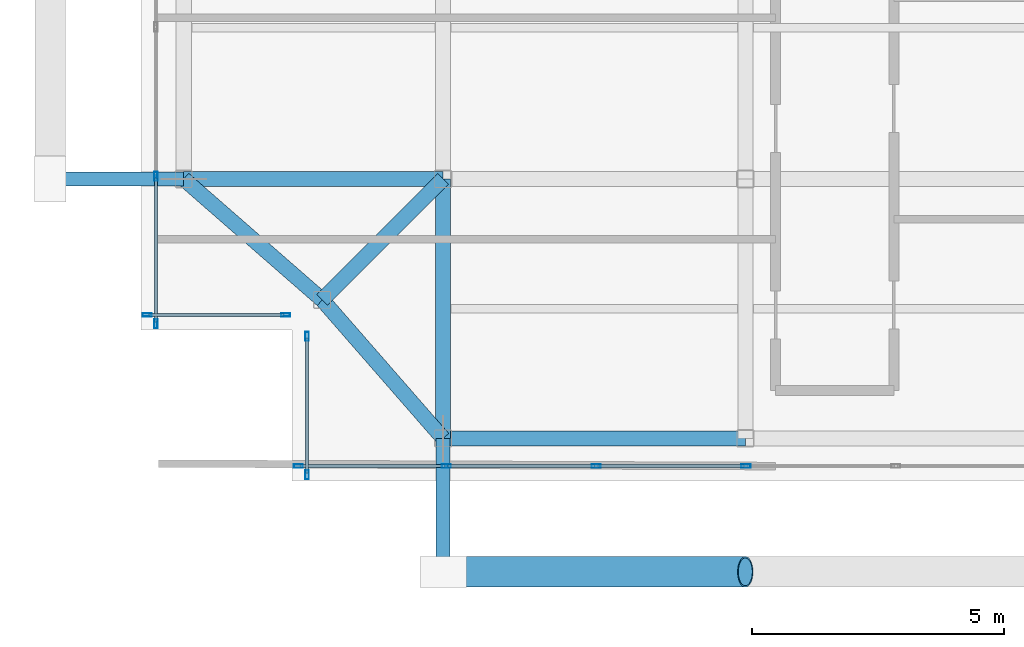
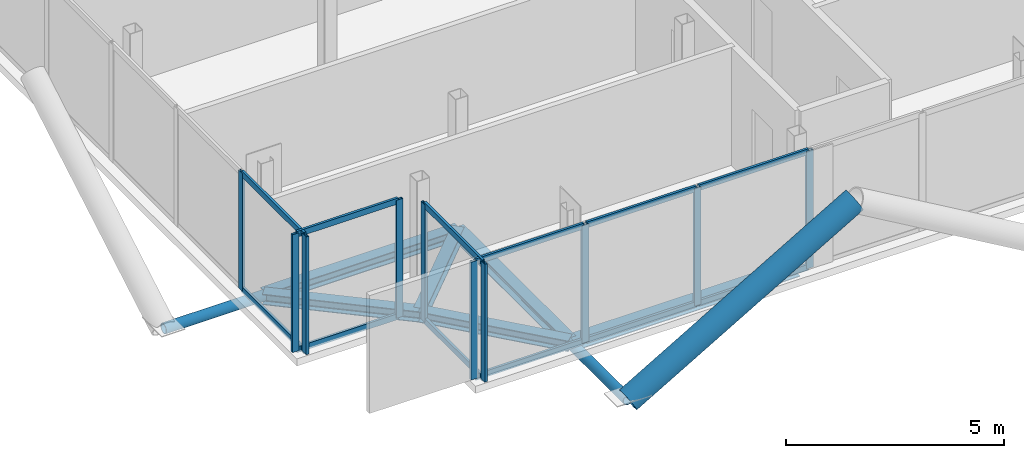
# One storey, part 2 of 19: 25 members, 6 beams, 4 elements without a shape of their own.
"""IFC4 building model written with IfcOpenShell, lengths in metres."""

from ifc_helpers import new_model, si_unit, direction, frame, origin, origin_2d, place, context, subcontext, project, spatial, hollow_rectangle, hollow_circle, i_section, extrude, material, layer, layer_set, material_profile, profile_set, type_object, element, aggregate, save


model = new_model("IFC4")

# Units and contexts
model_context = context("Model", 3, precision=1e-05, world=origin(), true_north=direction((0.0, 1.0)))
body_context = subcontext(model_context, "Body", "Model", "MODEL_VIEW")
ifc_project = project(units=[si_unit("LENGTHUNIT", "METRE"), si_unit("AREAUNIT", "SQUARE_METRE"), si_unit("VOLUMEUNIT", "CUBIC_METRE"), si_unit("PLANEANGLEUNIT", "RADIAN"), si_unit("MASSUNIT", "GRAM", prefix="KILO"), si_unit("THERMODYNAMICTEMPERATUREUNIT", "KELVIN"), si_unit("POWERUNIT", "WATT")], contexts=[model_context])

# Site, building, storey
site_placement = place(None, origin())
site = spatial("IfcSite", under=ifc_project, at=site_placement, CompositionType="ELEMENT")
building_placement = place(site_placement, origin())
building = spatial("IfcBuilding", under=site, at=building_placement, Name="Svarakhadi Broadcast Tower", CompositionType="ELEMENT")
storey_placement = place(building_placement, frame((0.0, 0.0, 271.199951171875)))
storey = spatial("IfcBuildingStorey", under=building, at=storey_placement, Name="L68", CompositionType="ELEMENT", Elevation=271.199951171875)

# Curtain wall, members
ifc_material_1 = material(Name="Anodised Bronze Aluminium AA 6063-T6", Category="aluminium")
ifc_layer = layer(ifc_material_1, 0.179931640625)
ifc_layer_set = layer_set([ifc_layer], Name="Anodised Bronze Aluminium AA 6063-T6")
curtain_wall_type = type_object("IfcCurtainWallType", Name="CW_Sys_05", PredefinedType="NOTDEFINED", material=ifc_layer_set)
curtain_wall_1_placement = place(storey_placement, origin())
curtain_wall_1 = element("IfcCurtainWall", 1, at=curtain_wall_1_placement, inside=storey, type_object=curtain_wall_type, Name="L68 Unitised Facade Curtain Wall 01", PredefinedType="NOTDEFINED")
ifc_material_profile_1 = material_profile(ifc_material_1, hollow_rectangle(XDim=0.070068359375, YDim=0.179931640625, WallThickness=0.005615234375, at=origin_2d()), Name="ALU MULLION 180x70x6")
ifc_profile_set_1 = profile_set([ifc_material_profile_1], Name="Anodised Bronze Aluminium AA 6063-T6")
member_type_1 = type_object("IfcMemberType", Name="CW_Sys_05_Mul", PredefinedType="MULLION", material=ifc_profile_set_1)
member_1_placement = place(storey_placement, frame((2.875, 3.300048828125, 0.0), z_axis=(0.0, 0.0, 1.0), x_axis=(0.0, -1.0, 0.0)))
member_1 = element("IfcMember", 2, at=member_1_placement, type_object=member_type_1, Name="CW-05 mullion 1", PredefinedType="MULLION", context=body_context, shape_type="SweptSolid", body=[
    extrude(hollow_rectangle(XDim=0.070068359375, YDim=0.179931640625, WallThickness=0.005615234375, at=origin_2d()), origin(), (0.0, 0.0, 1.0), 3.300048828125),
])
member_2_placement = place(storey_placement, frame((0.125, 3.300048828125, 0.0), z_axis=(0.0, 0.0, 1.0), x_axis=(0.0, -1.0, 0.0)))
member_2 = element("IfcMember", 3, at=member_2_placement, type_object=member_type_1, Name="CW-05 mullion 2", PredefinedType="MULLION", context=body_context, shape_type="SweptSolid", body=[
    extrude(hollow_rectangle(XDim=0.070068359375, YDim=0.179931640625, WallThickness=0.005615234375, at=origin_2d()), origin(), (0.0, 0.0, 1.0), 3.300048828125),
])

curtain_wall_2_placement = place(storey_placement, origin())
curtain_wall_2 = element("IfcCurtainWall", 4, at=curtain_wall_2_placement, inside=storey, type_object=curtain_wall_type, Name="L68 West Curtain Wall 02", PredefinedType="NOTDEFINED")
member_3_placement = place(storey_placement, frame((0.300048828125, 3.125, 0.0), z_axis=(0.0, 0.0, 1.0), x_axis=(-1.0, 0.0, 0.0)))
member_3 = element("IfcMember", 5, at=member_3_placement, type_object=member_type_1, Name="CW-05 mullion 1", PredefinedType="MULLION", context=body_context, shape_type="SweptSolid", body=[
    extrude(hollow_rectangle(XDim=0.070068359375, YDim=0.179931640625, WallThickness=0.005615234375, at=origin_2d()), origin(), (0.0, 0.0, 1.0), 3.300048828125),
])
member_4_placement = place(storey_placement, frame((0.300048828125, 6.053955078125, 0.0), z_axis=(0.0, 0.0, 1.0), x_axis=(-1.0, 0.0, 0.0)))
member_4 = element("IfcMember", 6, at=member_4_placement, type_object=member_type_1, Name="CW-05 mullion 2", PredefinedType="MULLION", context=body_context, shape_type="SweptSolid", body=[
    extrude(hollow_rectangle(XDim=0.070068359375, YDim=0.179931640625, WallThickness=0.005615234375, at=origin_2d()), origin(), (0.0, 0.0, 1.0), 3.300048828125),
])

curtain_wall_3_placement = place(storey_placement, origin())
curtain_wall_3 = element("IfcCurtainWall", 7, at=curtain_wall_3_placement, inside=storey, type_object=curtain_wall_type, Name="L68 South Curtain Wall 15", PredefinedType="NOTDEFINED")
member_5_placement = place(storey_placement, frame((12.012939453125, 0.300048828125, 0.0), z_axis=(0.0, 0.0, 1.0), x_axis=(0.0, -1.0, 0.0)))
member_5 = element("IfcMember", 8, at=member_5_placement, type_object=member_type_1, Name="CW-05 mullion 5", PredefinedType="MULLION", context=body_context, shape_type="SweptSolid", body=[
    extrude(hollow_rectangle(XDim=0.070068359375, YDim=0.179931640625, WallThickness=0.005615234375, at=origin_2d()), origin(), (0.0, 0.0, 1.0), 3.300048828125),
])
member_6_placement = place(storey_placement, frame((9.03857421875, 0.300048828125, 0.0), z_axis=(0.0, 0.0, 1.0), x_axis=(0.0, -1.0, 0.0)))
member_6 = element("IfcMember", 9, at=member_6_placement, type_object=member_type_1, Name="CW-05 mullion 6", PredefinedType="MULLION", context=body_context, shape_type="SweptSolid", body=[
    extrude(hollow_rectangle(XDim=0.070068359375, YDim=0.179931640625, WallThickness=0.005615234375, at=origin_2d()), origin(), (0.0, 0.0, 1.0), 3.300048828125),
])
member_7_placement = place(storey_placement, frame((6.064208984375, 0.300048828125, 0.0), z_axis=(0.0, 0.0, 1.0), x_axis=(0.0, -1.0, 0.0)))
member_7 = element("IfcMember", 10, at=member_7_placement, type_object=member_type_1, Name="CW-05 mullion 7", PredefinedType="MULLION", context=body_context, shape_type="SweptSolid", body=[
    extrude(hollow_rectangle(XDim=0.070068359375, YDim=0.179931640625, WallThickness=0.005615234375, at=origin_2d()), origin(), (0.0, 0.0, 1.0), 3.300048828125),
])
member_8_placement = place(storey_placement, frame((3.125, 0.300048828125, 0.0), z_axis=(0.0, 0.0, 1.0), x_axis=(0.0, -1.0, 0.0)))
member_8 = element("IfcMember", 11, at=member_8_placement, type_object=member_type_1, Name="CW-05 mullion 8", PredefinedType="MULLION", context=body_context, shape_type="SweptSolid", body=[
    extrude(hollow_rectangle(XDim=0.070068359375, YDim=0.179931640625, WallThickness=0.005615234375, at=origin_2d()), origin(), (0.0, 0.0, 1.0), 3.300048828125),
])

curtain_wall_4_placement = place(storey_placement, origin())
curtain_wall_4 = element("IfcCurtainWall", 12, at=curtain_wall_4_placement, inside=storey, type_object=curtain_wall_type, Name="L68 Unitised Facade Curtain Wall 16", PredefinedType="NOTDEFINED")
member_9_placement = place(storey_placement, frame((3.300048828125, 0.125, 0.0), z_axis=(0.0, 0.0, 1.0), x_axis=(-1.0, 0.0, 0.0)))
member_9 = element("IfcMember", 13, at=member_9_placement, type_object=member_type_1, Name="CW-05 mullion 1", PredefinedType="MULLION", context=body_context, shape_type="SweptSolid", body=[
    extrude(hollow_rectangle(XDim=0.070068359375, YDim=0.179931640625, WallThickness=0.005615234375, at=origin_2d()), origin(), (0.0, 0.0, 1.0), 3.300048828125),
])
member_10_placement = place(storey_placement, frame((3.300048828125, 2.875, 0.0), z_axis=(0.0, 0.0, 1.0), x_axis=(-1.0, 0.0, 0.0)))
member_10 = element("IfcMember", 14, at=member_10_placement, type_object=member_type_1, Name="CW-05 mullion 2", PredefinedType="MULLION", context=body_context, shape_type="SweptSolid", body=[
    extrude(hollow_rectangle(XDim=0.070068359375, YDim=0.179931640625, WallThickness=0.005615234375, at=origin_2d()), origin(), (0.0, 0.0, 1.0), 3.300048828125),
])

# Member
ifc_material_profile_2 = material_profile(ifc_material_1, hollow_rectangle(XDim=0.06494140625, YDim=0.1650390625, WallThickness=0.0048828125, at=origin_2d()), Name="ALU TRANSOM 165x65x5")
ifc_profile_set_2 = profile_set([ifc_material_profile_2], Name="Anodised Bronze Aluminium AA 6063-T6")
member_type_2 = type_object("IfcMemberType", Name="CW_Sys_05_Trn", PredefinedType="USERDEFINED", material=ifc_profile_set_2)
member_11_placement = place(storey_placement, frame((2.840087890625, 3.300048828125, 0.032470703125), z_axis=(-1.0, 0.0, 0.0), x_axis=(0.0, -1.0, 0.0)))
member_11 = element("IfcMember", 15, at=member_11_placement, type_object=member_type_2, Name="CW-05 transom 1.1", ObjectType="TRANSOM", PredefinedType="USERDEFINED", context=body_context, shape_type="SweptSolid", body=[
    extrude(hollow_rectangle(XDim=0.06494140625, YDim=0.1650390625, WallThickness=0.0048828125, at=origin_2d()), origin(), (0.0, 0.0, 1.0), 2.68017578125),
])

member_12_placement = place(storey_placement, frame((2.840087890625, 3.300048828125, 3.267578125), z_axis=(-1.0, 0.0, 0.0), x_axis=(0.0, -1.0, 0.0)))
member_12 = element("IfcMember", 16, at=member_12_placement, type_object=member_type_2, Name="CW-05 transom 1.2", ObjectType="TRANSOM", PredefinedType="USERDEFINED", context=body_context, shape_type="SweptSolid", body=[
    extrude(hollow_rectangle(XDim=0.06494140625, YDim=0.1650390625, WallThickness=0.0048828125, at=origin_2d()), origin(), (0.0, 0.0, 1.0), 2.68017578125),
])

aggregate(curtain_wall_1, [member_1, member_2, member_11, member_12])

member_13_placement = place(storey_placement, frame((0.300048828125, 3.159912109375, 0.032470703125), z_axis=(0.0, 1.0, 0.0), x_axis=(-1.0, 0.0, 0.0)))
member_13 = element("IfcMember", 17, at=member_13_placement, type_object=member_type_2, Name="CW-05 transom 1.1", ObjectType="TRANSOM", PredefinedType="USERDEFINED", context=body_context, shape_type="SweptSolid", body=[
    extrude(hollow_rectangle(XDim=0.06494140625, YDim=0.1650390625, WallThickness=0.0048828125, at=origin_2d()), origin(), (0.0, 0.0, 1.0), 2.859130859375),
])

member_14_placement = place(storey_placement, frame((0.300048828125, 3.159912109375, 3.267578125), z_axis=(0.0, 1.0, 0.0), x_axis=(-1.0, 0.0, 0.0)))
member_14 = element("IfcMember", 18, at=member_14_placement, type_object=member_type_2, Name="CW-05 transom 1.2", ObjectType="TRANSOM", PredefinedType="USERDEFINED", context=body_context, shape_type="SweptSolid", body=[
    extrude(hollow_rectangle(XDim=0.06494140625, YDim=0.1650390625, WallThickness=0.0048828125, at=origin_2d()), origin(), (0.0, 0.0, 1.0), 2.859130859375),
])

aggregate(curtain_wall_2, [member_3, member_4, member_13, member_14])

member_15_placement = place(storey_placement, frame((11.977783203125, 0.300048828125, 0.032470703125), z_axis=(-1.0, 0.0, 0.0), x_axis=(0.0, -1.0, 0.0)))
member_15 = element("IfcMember", 19, at=member_15_placement, type_object=member_type_2, Name="CW-05 transom 5.1", ObjectType="TRANSOM", PredefinedType="USERDEFINED", context=body_context, shape_type="SweptSolid", body=[
    extrude(hollow_rectangle(XDim=0.06494140625, YDim=0.1650390625, WallThickness=0.0048828125, at=origin_2d()), origin(), (0.0, 0.0, 1.0), 2.904296875),
])

member_16_placement = place(storey_placement, frame((11.977783203125, 0.300048828125, 3.267578125), z_axis=(-1.0, 0.0, 0.0), x_axis=(0.0, -1.0, 0.0)))
member_16 = element("IfcMember", 20, at=member_16_placement, type_object=member_type_2, Name="CW-05 transom 5.2", ObjectType="TRANSOM", PredefinedType="USERDEFINED", context=body_context, shape_type="SweptSolid", body=[
    extrude(hollow_rectangle(XDim=0.06494140625, YDim=0.1650390625, WallThickness=0.0048828125, at=origin_2d()), origin(), (0.0, 0.0, 1.0), 2.904296875),
])

member_17_placement = place(storey_placement, frame((9.003662109375, 0.300048828125, 0.032470703125), z_axis=(-1.0, 0.0, 0.0), x_axis=(0.0, -1.0, 0.0)))
member_17 = element("IfcMember", 21, at=member_17_placement, type_object=member_type_2, Name="CW-05 transom 6.1", ObjectType="TRANSOM", PredefinedType="USERDEFINED", context=body_context, shape_type="SweptSolid", body=[
    extrude(hollow_rectangle(XDim=0.06494140625, YDim=0.1650390625, WallThickness=0.0048828125, at=origin_2d()), origin(), (0.0, 0.0, 1.0), 2.904296875),
])

member_18_placement = place(storey_placement, frame((9.003662109375, 0.300048828125, 3.267578125), z_axis=(-1.0, 0.0, 0.0), x_axis=(0.0, -1.0, 0.0)))
member_18 = element("IfcMember", 22, at=member_18_placement, type_object=member_type_2, Name="CW-05 transom 6.2", ObjectType="TRANSOM", PredefinedType="USERDEFINED", context=body_context, shape_type="SweptSolid", body=[
    extrude(hollow_rectangle(XDim=0.06494140625, YDim=0.1650390625, WallThickness=0.0048828125, at=origin_2d()), origin(), (0.0, 0.0, 1.0), 2.904296875),
])

member_19_placement = place(storey_placement, frame((6.029296875, 0.300048828125, 0.032470703125), z_axis=(-1.0, 0.0, 0.0), x_axis=(0.0, -1.0, 0.0)))
member_19 = element("IfcMember", 23, at=member_19_placement, type_object=member_type_2, Name="CW-05 transom 7.1", ObjectType="TRANSOM", PredefinedType="USERDEFINED", context=body_context, shape_type="SweptSolid", body=[
    extrude(hollow_rectangle(XDim=0.06494140625, YDim=0.1650390625, WallThickness=0.0048828125, at=origin_2d()), origin(), (0.0, 0.0, 1.0), 2.869384765625),
])

member_20_placement = place(storey_placement, frame((6.029296875, 0.300048828125, 3.267578125), z_axis=(-1.0, 0.0, 0.0), x_axis=(0.0, -1.0, 0.0)))
member_20 = element("IfcMember", 24, at=member_20_placement, type_object=member_type_2, Name="CW-05 transom 7.2", ObjectType="TRANSOM", PredefinedType="USERDEFINED", context=body_context, shape_type="SweptSolid", body=[
    extrude(hollow_rectangle(XDim=0.06494140625, YDim=0.1650390625, WallThickness=0.0048828125, at=origin_2d()), origin(), (0.0, 0.0, 1.0), 2.869384765625),
])

aggregate(curtain_wall_3, [member_5, member_6, member_7, member_8, member_15, member_16, member_17, member_18, member_19, member_20])

member_21_placement = place(storey_placement, frame((3.300048828125, 0.159912109375, 0.032470703125), z_axis=(0.0, 1.0, 0.0), x_axis=(-1.0, 0.0, 0.0)))
member_21 = element("IfcMember", 25, at=member_21_placement, type_object=member_type_2, Name="CW-05 transom 1.1", ObjectType="TRANSOM", PredefinedType="USERDEFINED", context=body_context, shape_type="SweptSolid", body=[
    extrude(hollow_rectangle(XDim=0.06494140625, YDim=0.1650390625, WallThickness=0.0048828125, at=origin_2d()), origin(), (0.0, 0.0, 1.0), 2.68017578125),
])

member_22_placement = place(storey_placement, frame((3.300048828125, 0.159912109375, 3.267578125), z_axis=(0.0, 1.0, 0.0), x_axis=(-1.0, 0.0, 0.0)))
member_22 = element("IfcMember", 26, at=member_22_placement, type_object=member_type_2, Name="CW-05 transom 1.2", ObjectType="TRANSOM", PredefinedType="USERDEFINED", context=body_context, shape_type="SweptSolid", body=[
    extrude(hollow_rectangle(XDim=0.06494140625, YDim=0.1650390625, WallThickness=0.0048828125, at=origin_2d()), origin(), (0.0, 0.0, 1.0), 2.68017578125),
])

aggregate(curtain_wall_4, [member_9, member_10, member_21, member_22])

# Members
ifc_material_2 = material(Name="Steel S460ML (IS 2062 E450BR)", Category="steel")
ifc_material_profile_3 = material_profile(ifc_material_2, hollow_circle(Radius=0.304931640625, WallThickness=0.030029296875, at=origin_2d()), Name="CHS 610x30")
ifc_profile_set_3 = profile_set([ifc_material_profile_3], Name="Steel S460ML (IS 2062 E450BR)")
member_type_3 = type_object("IfcMemberType", Name="Exo_Brace_CHS610", PredefinedType="BRACE", material=ifc_profile_set_3)
member_23_placement = place(storey_placement, frame((6.0, -1.800048828125, -0.33642578125), z_axis=(0.863778900898, 0.0, 0.503871025524), x_axis=(0.0, 1.0, 0.0)))
element("IfcMember", 27, at=member_23_placement, inside=storey, type_object=member_type_3, Name="L68 Exposed Bronze Exoskeleton Diagonal S01", PredefinedType="BRACE", context=body_context, shape_type="SweptSolid", body=[
    extrude(hollow_circle(Radius=0.304931640625, WallThickness=0.030029296875, at=origin_2d()), origin(), (0.0, 0.0, 1.0), 6.9462890625),
])
ifc_material_profile_4 = material_profile(ifc_material_2, hollow_circle(Radius=0.136474609375, WallThickness=0.012451171875, at=origin_2d()), Name="CHS 273x12.5")
ifc_profile_set_4 = profile_set([ifc_material_profile_4], Name="Steel S460ML (IS 2062 E450BR)")
member_type_4 = type_object("IfcMemberType", Name="Exo_Radial_Strut_Z3", PredefinedType="STRUT", material=ifc_profile_set_4)
for number, where, z_axis, x_axis, name in (
    (28, (6.0, -1.800048828125, -0.33642578125), (0.0, 1.0, 0.0), (-1.0, 0.0, 0.0), "L68 Exoskeleton Radial Tie Strut S01"),
    (29, (-1.800048828125, 6.0, -0.33642578125), (1.0, 0.0, 0.0), (0.0, 1.0, 0.0), "L68 Exoskeleton Radial Tie Strut W04"),
):
    element("IfcMember", number, at=place(storey_placement, frame(where, z_axis=z_axis, x_axis=x_axis)), inside=storey, type_object=member_type_4, Name=name, PredefinedType="STRUT", context=body_context, shape_type="SweptSolid", body=[
        extrude(hollow_circle(Radius=0.136474609375, WallThickness=0.012451171875, at=origin_2d()), origin(), (0.0, 0.0, 1.0), 2.650146484375),
    ])

# Beams
ifc_material_3 = material(Name="Steel S355J2 (IS 2062 E350C)", Category="steel")
ifc_material_profile_5 = material_profile(ifc_material_3, i_section(OverallWidth=0.300048828125, OverallDepth=0.300048828125, WebThickness=0.010986328125, FlangeThickness=0.01904296875, FilletRadius=0.027099609375, at=origin_2d()), Name="WPB 300x300x117")
ifc_profile_set_5 = profile_set([ifc_material_profile_5], Name="Steel S355J2 (IS 2062 E350C)")
beam_type = type_object("IfcBeamType", Name="Girder_WPB300", PredefinedType="USERDEFINED", material=ifc_profile_set_5)
beam_1_placement = place(storey_placement, frame((3.60009765625, 3.60009765625, -0.349853515625), z_axis=(0.707106781187, 0.707106781187, 0.0), x_axis=(-0.707106781187, 0.707106781187, 0.0)))
element("IfcBeam", 30, at=beam_1_placement, inside=storey, type_object=beam_type, Name="L68 Corner Tie Girder G001", ObjectType="GIRDER", PredefinedType="USERDEFINED", context=body_context, shape_type="SweptSolid", body=[
    extrude(i_section(OverallWidth=0.300048828125, OverallDepth=0.300048828125, WebThickness=0.010986328125, FlangeThickness=0.01904296875, FilletRadius=0.027099609375, at=origin_2d()), origin(), (0.0, 0.0, 1.0), 3.39404296875),
])
for number, where, z_axis, x_axis, name in (
    (31, (3.60009765625, 3.60009765625, -0.349853515625), (-0.753437912176, 0.657519058655, 0.0), (-0.657519058655, -0.753437912176, 0.0), "L68 Corner Tie Girder G002"),
    (32, (3.60009765625, 3.60009765625, -0.349853515625), (0.657519058655, -0.753437912176, 0.0), (0.753437912176, 0.657519058655, 0.0), "L68 Corner Tie Girder G003"),
):
    element("IfcBeam", number, at=place(storey_placement, frame(where, z_axis=z_axis, x_axis=x_axis)), inside=storey, type_object=beam_type, Name=name, ObjectType="GIRDER", PredefinedType="USERDEFINED", context=body_context, shape_type="SweptSolid", body=[
        extrude(i_section(OverallWidth=0.300048828125, OverallDepth=0.300048828125, WebThickness=0.010986328125, FlangeThickness=0.01904296875, FilletRadius=0.027099609375, at=origin_2d()), origin(), (0.0, 0.0, 1.0), 3.64990234375),
    ])
beam_2_placement = place(storey_placement, frame((6.0, 0.85009765625, -0.349853515625), z_axis=(1.0, 0.0, 0.0), x_axis=(0.0, 1.0, 0.0)))
element("IfcBeam", 33, at=beam_2_placement, inside=storey, type_object=beam_type, Name="L68 Primary E-W Girder G004", ObjectType="GIRDER", PredefinedType="USERDEFINED", context=body_context, shape_type="SweptSolid", body=[
    extrude(i_section(OverallWidth=0.300048828125, OverallDepth=0.300048828125, WebThickness=0.010986328125, FlangeThickness=0.01904296875, FilletRadius=0.027099609375, at=origin_2d()), origin(), (0.0, 0.0, 1.0), 6.0),
])
for number, where, z_axis, x_axis, name in (
    (34, (0.85009765625, 6.0, -0.349853515625), (1.0, 0.0, 0.0), (0.0, 1.0, 0.0), "L68 Primary E-W Girder G008"),
    (35, (6.0, 0.85009765625, -0.349853515625), (0.0, 1.0, 0.0), (-1.0, 0.0, 0.0), "L68 Primary N-S Girder G029"),
):
    element("IfcBeam", number, at=place(storey_placement, frame(where, z_axis=z_axis, x_axis=x_axis)), inside=storey, type_object=beam_type, Name=name, ObjectType="GIRDER", PredefinedType="USERDEFINED", context=body_context, shape_type="SweptSolid", body=[
        extrude(i_section(OverallWidth=0.300048828125, OverallDepth=0.300048828125, WebThickness=0.010986328125, FlangeThickness=0.01904296875, FilletRadius=0.027099609375, at=origin_2d()), origin(), (0.0, 0.0, 1.0), 5.14990234375),
    ])

save(model, "model.ifc")
